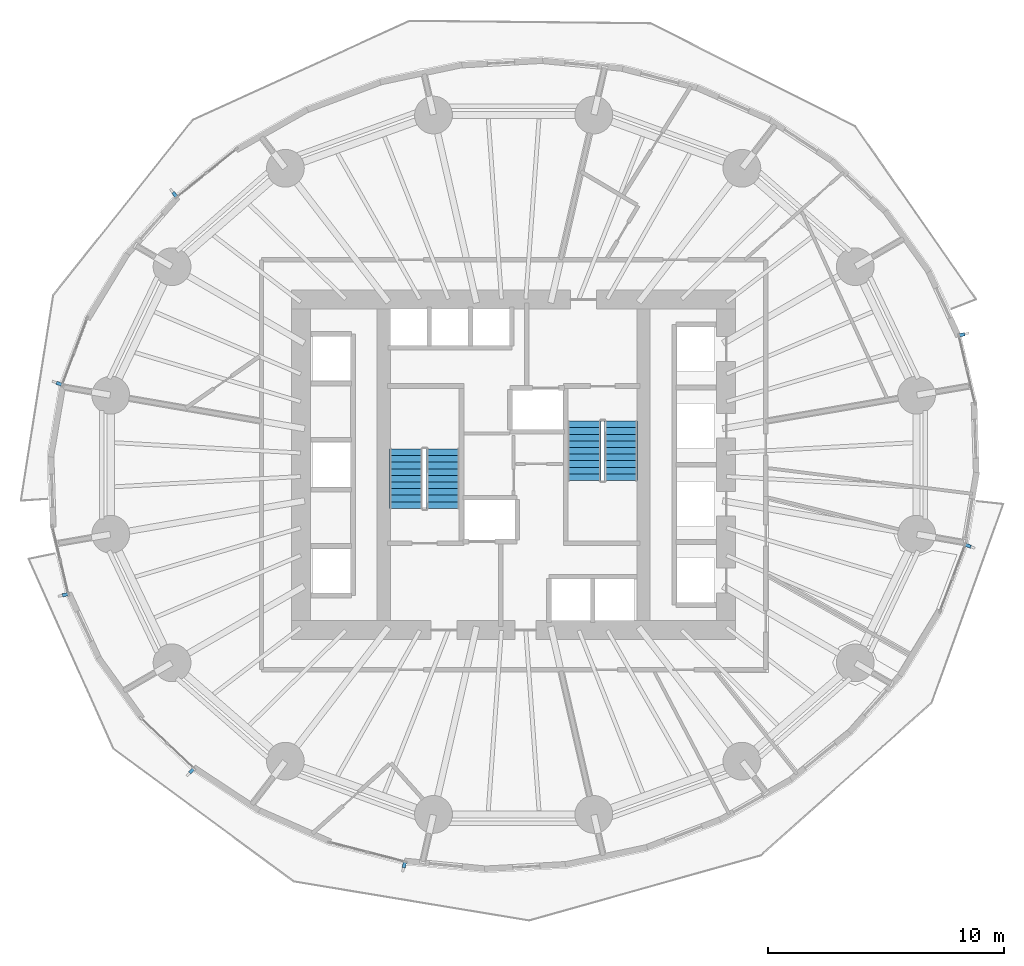
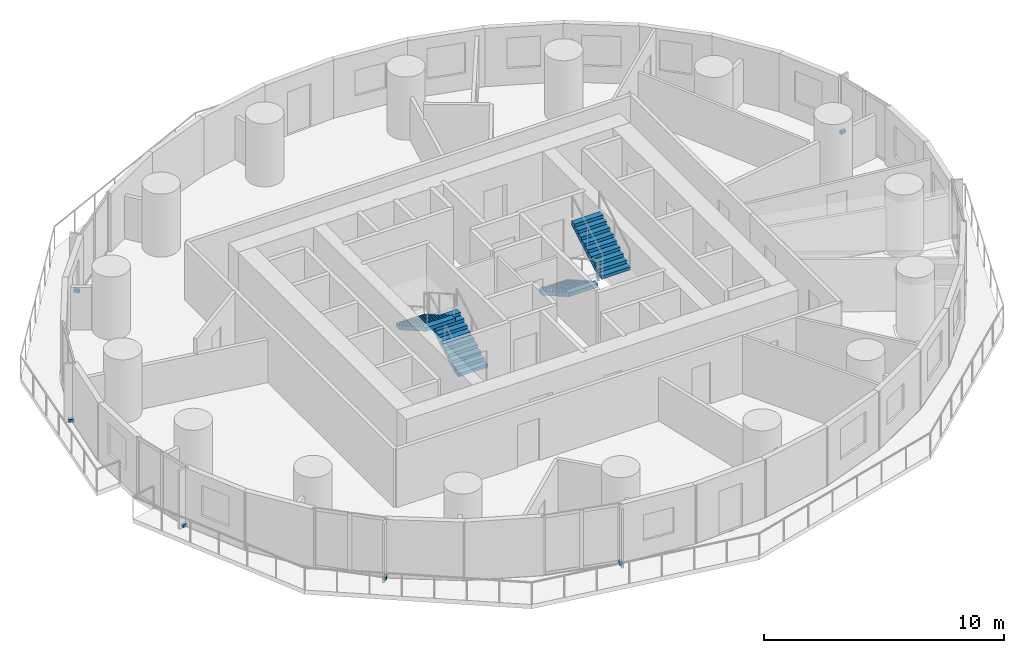
# One storey, part 10 of 14: 7 discrete accessories, 4 stair flights, 2 elements without a shape of their own.
"""IFC4 building model written with IfcOpenShell, lengths in metres."""

from ifc_helpers import new_model, si_unit, direction, frame, origin, origin_2d, place, context, subcontext, project, spatial, polyline, rectangle, outline, extrude, material, type_object, element, aggregate, save


model = new_model("IFC4")

# Units and contexts
model_context = context("Model", 3, precision=1e-05, world=origin(), true_north=direction((0.0, 1.0)))
body_context = subcontext(model_context, "Body", "Model", "MODEL_VIEW")
ifc_project = project(units=[si_unit("LENGTHUNIT", "METRE"), si_unit("AREAUNIT", "SQUARE_METRE"), si_unit("VOLUMEUNIT", "CUBIC_METRE"), si_unit("PLANEANGLEUNIT", "RADIAN"), si_unit("MASSUNIT", "GRAM", prefix="KILO")], contexts=[model_context])

# Site, building, storey
site_placement = place(None, origin())
site = spatial("IfcSite", under=ifc_project, at=site_placement, CompositionType="ELEMENT")
building_placement = place(site_placement, origin())
building = spatial("IfcBuilding", under=site, at=building_placement, Name="Veldorim Arch Residences", CompositionType="ELEMENT")
storey_placement = place(building_placement, frame((0.0, 0.0, 37.60009765625)))
storey = spatial("IfcBuildingStorey", under=building, at=storey_placement, Name="L10", CompositionType="ELEMENT", Elevation=37.60009765625)

# Stair, stair flights
ifc_material_1 = material(Name="Concrete C40/50", Category="concrete")
stair_type = type_object("IfcStairType", Name="Reinforced Concrete Dogleg Exit Staircase", PredefinedType="HALF_TURN_STAIR", material=ifc_material_1)
stair_1_placement = place(storey_placement, origin())
stair_1 = element("IfcStair", 1, at=stair_1_placement, inside=storey, type_object=stair_type, Name="L10 Exit Staircase ST-1", PredefinedType="HALF_TURN_STAIR")
ifc_material_2 = material(Name="Concrete C40/50", Category="concrete")
stair_flight_type = type_object("IfcStairFlightType", Name="Reinforced Concrete Stair Flight 1400", PredefinedType="STRAIGHT", material=ifc_material_2)
stair_flight_1_placement = place(storey_placement, frame((29.010009765625, 22.14990234375, 0.0), z_axis=(0.0, 0.0, 1.0), x_axis=(0.0, 1.0, 0.0)))
stair_flight_1 = element("IfcStairFlight", 2, at=stair_flight_1_placement, type_object=stair_flight_type, Name="ST-1 flight 1", NumberOfRisers=10, NumberOfTreads=9, PredefinedType="STRAIGHT", RiserHeight=0.16, TreadLength=0.28, context=body_context, shape_type="SweptSolid", body=[
    extrude(outline(polyline([(0.0, 0.0), (0.0, 0.159912109375), (0.280029296875, 0.159912109375), (0.280029296875, 0.320068359375), (0.56005859375, 0.320068359375), (0.56005859375, 0.47998046875), (0.840087890625, 0.47998046875), (0.840087890625, 0.639892578125), (1.1201171875, 0.639892578125), (1.1201171875, 0.800048828125), (1.39990234375, 0.800048828125), (1.39990234375, 0.9599609375), (1.679931640625, 0.9599609375), (1.679931640625, 1.1201171875), (1.9599609375, 1.1201171875), (1.9599609375, 1.280029296875), (2.239990234375, 1.280029296875), (2.239990234375, 1.43994140625), (2.52001953125, 1.43994140625), (2.52001953125, 1.60009765625), (2.52001953125, 1.255859375), (0.322265625, 0.0), (0.0, 0.0)])), frame((0.0, 0.699951171875, 0.0), z_axis=(0.0, -1.0, 0.0), x_axis=(1.0, 0.0, 0.0)), (0.0, 0.0, 1.0), 1.39990234375),
])
stair_flight_2_placement = place(storey_placement, frame((27.449951171875, 24.669921875, 1.599853515625), z_axis=(0.0, 0.0, 1.0), x_axis=(0.0, -1.0, 0.0)))
stair_flight_2 = element("IfcStairFlight", 3, at=stair_flight_2_placement, type_object=stair_flight_type, Name="ST-1 flight 2", NumberOfRisers=10, NumberOfTreads=9, PredefinedType="STRAIGHT", RiserHeight=0.16, TreadLength=0.28, context=body_context, shape_type="SweptSolid", body=[
    extrude(outline(polyline([(0.0, 0.0), (0.0, 0.159912109375), (0.280029296875, 0.159912109375), (0.280029296875, 0.320068359375), (0.56005859375, 0.320068359375), (0.56005859375, 0.47998046875), (0.840087890625, 0.47998046875), (0.840087890625, 0.639892578125), (1.1201171875, 0.639892578125), (1.1201171875, 0.800048828125), (1.39990234375, 0.800048828125), (1.39990234375, 0.9599609375), (1.679931640625, 0.9599609375), (1.679931640625, 1.1201171875), (1.9599609375, 1.1201171875), (1.9599609375, 1.280029296875), (2.239990234375, 1.280029296875), (2.239990234375, 1.43994140625), (2.52001953125, 1.43994140625), (2.52001953125, 1.60009765625), (2.52001953125, 1.255859375), (0.322265625, 0.0), (0.0, 0.0)])), frame((0.0, 0.699951171875, 0.0), z_axis=(0.0, -1.0, 0.0), x_axis=(1.0, 0.0, 0.0)), (0.0, 0.0, 1.0), 1.39990234375),
])
aggregate(stair_1, [stair_flight_1, stair_flight_2])

stair_2_placement = place(storey_placement, origin())
stair_2 = element("IfcStair", 4, at=stair_2_placement, inside=storey, type_object=stair_type, Name="L10 Exit Staircase ST-2", PredefinedType="HALF_TURN_STAIR")
stair_flight_3_placement = place(storey_placement, frame((34.989990234375, 25.85009765625, 0.0), z_axis=(0.0, 0.0, 1.0), x_axis=(0.0, -1.0, 0.0)))
stair_flight_3 = element("IfcStairFlight", 5, at=stair_flight_3_placement, type_object=stair_flight_type, Name="ST-2 flight 1", NumberOfRisers=10, NumberOfTreads=9, PredefinedType="STRAIGHT", RiserHeight=0.16, TreadLength=0.28, context=body_context, shape_type="SweptSolid", body=[
    extrude(outline(polyline([(0.0, 0.0), (0.0, 0.159912109375), (0.280029296875, 0.159912109375), (0.280029296875, 0.320068359375), (0.56005859375, 0.320068359375), (0.56005859375, 0.47998046875), (0.840087890625, 0.47998046875), (0.840087890625, 0.639892578125), (1.1201171875, 0.639892578125), (1.1201171875, 0.800048828125), (1.39990234375, 0.800048828125), (1.39990234375, 0.9599609375), (1.679931640625, 0.9599609375), (1.679931640625, 1.1201171875), (1.9599609375, 1.1201171875), (1.9599609375, 1.280029296875), (2.239990234375, 1.280029296875), (2.239990234375, 1.43994140625), (2.52001953125, 1.43994140625), (2.52001953125, 1.60009765625), (2.52001953125, 1.255859375), (0.322265625, 0.0), (0.0, 0.0)])), frame((0.0, 0.699951171875, 0.0), z_axis=(0.0, -1.0, 0.0), x_axis=(1.0, 0.0, 0.0)), (0.0, 0.0, 1.0), 1.39990234375),
])
stair_flight_4_placement = place(storey_placement, frame((36.550048828125, 23.330078125, 1.599853515625), z_axis=(0.0, 0.0, 1.0), x_axis=(0.0, 1.0, 0.0)))
stair_flight_4 = element("IfcStairFlight", 6, at=stair_flight_4_placement, type_object=stair_flight_type, Name="ST-2 flight 2", NumberOfRisers=10, NumberOfTreads=9, PredefinedType="STRAIGHT", RiserHeight=0.16, TreadLength=0.28, context=body_context, shape_type="SweptSolid", body=[
    extrude(outline(polyline([(0.0, 0.0), (0.0, 0.159912109375), (0.280029296875, 0.159912109375), (0.280029296875, 0.320068359375), (0.56005859375, 0.320068359375), (0.56005859375, 0.47998046875), (0.840087890625, 0.47998046875), (0.840087890625, 0.639892578125), (1.1201171875, 0.639892578125), (1.1201171875, 0.800048828125), (1.39990234375, 0.800048828125), (1.39990234375, 0.9599609375), (1.679931640625, 0.9599609375), (1.679931640625, 1.1201171875), (1.9599609375, 1.1201171875), (1.9599609375, 1.280029296875), (2.239990234375, 1.280029296875), (2.239990234375, 1.43994140625), (2.52001953125, 1.43994140625), (2.52001953125, 1.60009765625), (2.52001953125, 1.255859375), (0.322265625, 0.0), (0.0, 0.0)])), frame((0.0, 0.699951171875, 0.0), z_axis=(0.0, -1.0, 0.0), x_axis=(1.0, 0.0, 0.0)), (0.0, 0.0, 1.0), 1.39990234375),
])
aggregate(stair_2, [stair_flight_3, stair_flight_4])

# Discrete accessories
ifc_material_3 = material(Name="Stainless Steel", Category="steel")
discrete_accessory_type = type_object("IfcDiscreteAccessoryType", Name="Stainless Steel Facade Fin Anchor Bracket", PredefinedType="BRACKET", material=ifc_material_3)
for number, where, z_axis, x_axis, name in (
    (7, (50.990478515625, 29.505615234375, -0.02001953125), (0.0, 0.0, 1.0), (0.230219585439, -0.973138706701, 0.0), "L10 stainless fin anchor bracket 01"),
    (8, (17.6455078125, 35.4443359375, -0.02001953125), (0.0, 0.0, 1.0), (0.778571842519, 0.627555484428, 0.0), "L10 stainless fin anchor bracket 13"),
    (9, (12.748779296875, 27.430908203125, -0.02001953125), (0.0, 0.0, 1.0), (0.352984997999, 0.935628981588, 0.0), "L10 stainless fin anchor bracket 16"),
    (10, (13.009521484375, 18.494384765625, -0.02001953125), (0.0, 0.0, 1.0), (-0.230219585439, 0.973138706701, 0.0), "L10 stainless fin anchor bracket 19"),
    (11, (18.3623046875, 11.03271484375, -0.02001953125), (0.0, 0.0, 1.0), (-0.724532846102, 0.689240273721, 0.0), "L10 stainless fin anchor bracket 22"),
    (12, (27.369873046875, 7.048828125, -0.02001953125), (0.0, 0.0, 1.0), (-0.968191325187, 0.250211026602, 0.0), "L10 stainless fin anchor bracket 25"),
    (13, (51.251220703125, 20.569091796875, -0.02001953125), (0.0, 0.0, 1.0), (-0.352984997999, -0.935628981588, 0.0), "L10 stainless fin anchor bracket 34"),
):
    element("IfcDiscreteAccessory", number, at=place(storey_placement, frame(where, z_axis=z_axis, x_axis=x_axis)), inside=storey, type_object=discrete_accessory_type, Name=name, PredefinedType="BRACKET", context=body_context, shape_type="SweptSolid", body=[
        extrude(rectangle(XDim=0.139892578125, YDim=0.239990234375, at=origin_2d()), origin(), (0.0, 0.0, 1.0), 0.159912109375),
    ])

save(model, "model.ifc")
